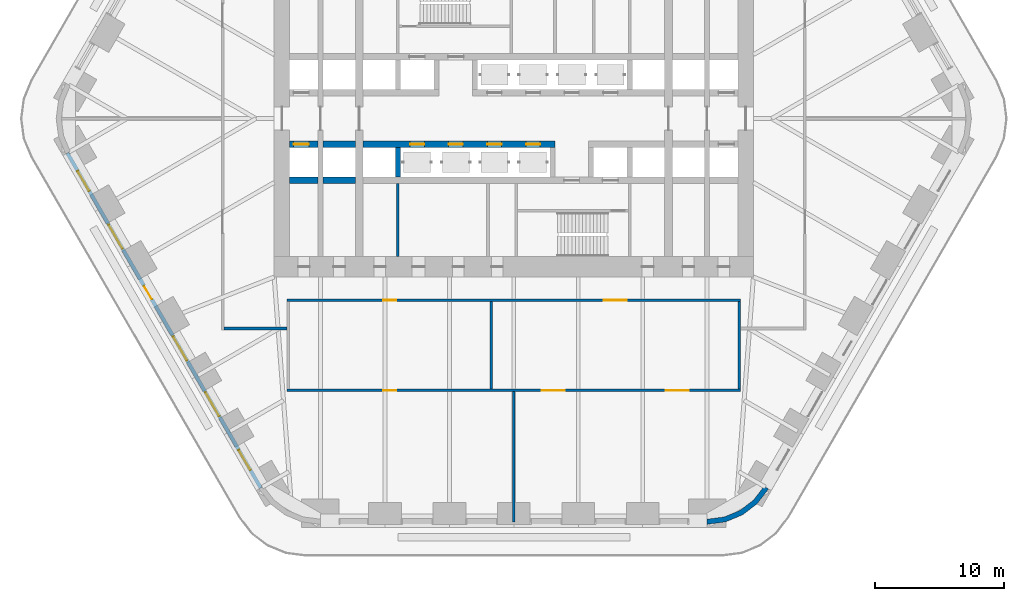
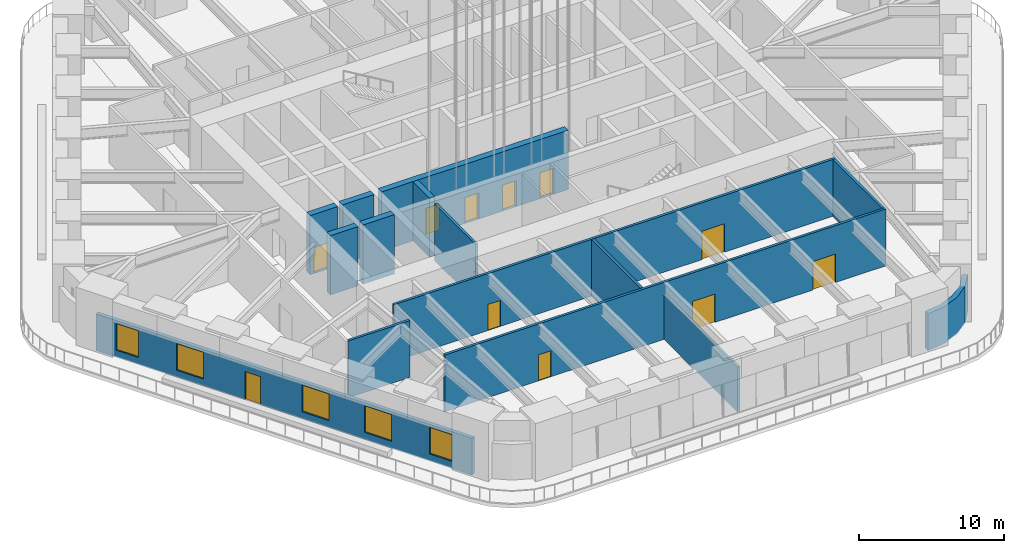
# One storey, part 7 of 15: 15 walls, 11 doors, 5 windows, 16 openings.
"""IFC4 building model written with IfcOpenShell, lengths in metres."""

from ifc_helpers import new_model, si_unit, direction, frame, frame_2d, origin, place, context, subcontext, project, spatial, polyline, rectangle, outline, extrude, material, layer, layer_set, type_object, element, fill, save


model = new_model("IFC4")

# Units and contexts
model_context = context("Model", 3, precision=1e-05, world=origin(), true_north=direction((0.0, 1.0)))
body_context = subcontext(model_context, "Body", "Model", "MODEL_VIEW")
ifc_project = project(units=[si_unit("LENGTHUNIT", "METRE"), si_unit("AREAUNIT", "SQUARE_METRE"), si_unit("VOLUMEUNIT", "CUBIC_METRE"), si_unit("PLANEANGLEUNIT", "RADIAN"), si_unit("MASSUNIT", "GRAM", prefix="KILO")], contexts=[model_context])

# Site, building, storey
site_placement = place(None, origin())
site = spatial("IfcSite", under=ifc_project, at=site_placement, CompositionType="ELEMENT")
building_placement = place(site_placement, origin())
building = spatial("IfcBuilding", under=site, at=building_placement, Name="Tarfa Lantern Tower", CompositionType="ELEMENT")
storey_placement = place(building_placement, frame((0.0, 0.0, 114.5)))
storey = spatial("IfcBuildingStorey", under=building, at=storey_placement, Name="L25", CompositionType="ELEMENT", Elevation=114.5)

# Wall, openings, door, windows
ifc_material_1 = material(Name="Limestone cladding on blockwork", Category="masonry")
ifc_layer_1 = layer(ifc_material_1, 0.300048828125)
ifc_layer_set_1 = layer_set([ifc_layer_1], Name="EW1 STONE-CLAD WALL 300")
wall_type_1 = type_object("IfcWallType", Name="EW1 STONE-CLAD WALL 300", PredefinedType="SOLIDWALL", material=ifc_layer_set_1)
wall_1_placement = place(storey_placement, frame((-34.655517578125, -2.675048828125, 0.0), z_axis=(0.0, 0.0, 1.0), x_axis=(0.500003084452, -0.866023622968, 0.0)))
wall_1 = element("IfcWall", 1, at=wall_1_placement, inside=storey, type_object=wall_type_1, Name="Stone wall SW", PredefinedType="SOLIDWALL", context=body_context, shape_type="SweptSolid", body=[
    extrude(rectangle(XDim=30.022216796875, YDim=0.300048828125, at=frame_2d((15.01123046875, 0.0))), origin(), (0.0, 0.0, 1.0), 3.10009765625),
])
opening_1_placement = place(wall_1_placement, frame((1.601806640625, 0.0, 0.60009765625)))
opening_1 = element("IfcOpeningElement", 2, at=opening_1_placement, cuts=wall_1, Name="Opening W4", PredefinedType="OPENING", context=body_context, shape_type="SweptSolid", body=[
    extrude(rectangle(XDim=1.800048828125, YDim=2.25, at=frame_2d((0.89990234375, 1.125))), frame((0.0, 0.159912109375, 0.0), z_axis=(0.0, -1.0, 0.0), x_axis=(1.0, 0.0, 0.0)), (0.0, 0.0, 1.0), 0.320068359375),
])
opening_2_placement = place(wall_1_placement, frame((6.4306640625, 0.0, 0.60009765625)))
opening_2 = element("IfcOpeningElement", 3, at=opening_2_placement, cuts=wall_1, Name="Opening W5", PredefinedType="OPENING", context=body_context, shape_type="SweptSolid", body=[
    extrude(rectangle(XDim=2.14990234375, YDim=2.25, at=frame_2d((1.074951171875, 1.125))), frame((0.0, 0.159912109375, 0.0), z_axis=(0.0, -1.0, 0.0), x_axis=(1.0, 0.0, 0.0)), (0.0, 0.0, 1.0), 0.320068359375),
])
opening_3_placement = place(wall_1_placement, frame((11.9091796875, 0.0, 0.0)))
opening_3 = element("IfcOpeningElement", 4, at=opening_3_placement, cuts=wall_1, Name="Opening D45", PredefinedType="OPENING", context=body_context, shape_type="SweptSolid", body=[
    extrude(rectangle(XDim=1.199951171875, YDim=2.39990234375, at=frame_2d((0.60009765625, 1.199951171875))), frame((0.0, 0.159912109375, 0.0), z_axis=(0.0, -1.0, 0.0), x_axis=(1.0, 0.0, 0.0)), (0.0, 0.0, 1.0), 0.320068359375),
])
opening_4_placement = place(wall_1_placement, frame((16.43798828125, 0.0, 0.60009765625)))
opening_4 = element("IfcOpeningElement", 5, at=opening_4_placement, cuts=wall_1, Name="Opening W5", PredefinedType="OPENING", context=body_context, shape_type="SweptSolid", body=[
    extrude(rectangle(XDim=2.14990234375, YDim=2.25, at=frame_2d((1.074951171875, 1.125))), frame((0.0, 0.159912109375, 0.0), z_axis=(0.0, -1.0, 0.0), x_axis=(1.0, 0.0, 0.0)), (0.0, 0.0, 1.0), 0.320068359375),
])
opening_5_placement = place(wall_1_placement, frame((21.441650390625, 0.0, 0.60009765625)))
opening_5 = element("IfcOpeningElement", 6, at=opening_5_placement, cuts=wall_1, Name="Opening W5", PredefinedType="OPENING", context=body_context, shape_type="SweptSolid", body=[
    extrude(rectangle(XDim=2.14990234375, YDim=2.25, at=frame_2d((1.074951171875, 1.125))), frame((0.0, 0.159912109375, 0.0), z_axis=(0.0, -1.0, 0.0), x_axis=(1.0, 0.0, 0.0)), (0.0, 0.0, 1.0), 0.320068359375),
])
opening_6_placement = place(wall_1_placement, frame((26.620361328125, 0.0, 0.60009765625)))
opening_6 = element("IfcOpeningElement", 7, at=opening_6_placement, cuts=wall_1, Name="Opening W4", PredefinedType="OPENING", context=body_context, shape_type="SweptSolid", body=[
    extrude(rectangle(XDim=1.800048828125, YDim=2.25, at=frame_2d((0.89990234375, 1.125))), frame((0.0, 0.159912109375, 0.0), z_axis=(0.0, -1.0, 0.0), x_axis=(1.0, 0.0, 0.0)), (0.0, 0.0, 1.0), 0.320068359375),
])
ifc_material_2 = material(Name="Aluminium framed glazed door", Category="aluminium")
door_type_1 = type_object("IfcDoorType", Name="BE3 BALCONY DOOR 1200x2400", OperationType="SINGLE_SWING_RIGHT", PredefinedType="DOOR", material=ifc_material_2)
door_1_placement = place(opening_3_placement, origin())
door_1 = element("IfcDoor", 8, at=door_1_placement, inside=storey, type_object=door_type_1, Name="Balcony door SW", OperationType="SINGLE_SWING_RIGHT", OverallHeight=2.39990234375, OverallWidth=1.199951171875, PredefinedType="DOOR", context=body_context, shape_type="SweptSolid", body=[
    extrude(rectangle(XDim=1.199951171875, YDim=2.39990234375, at=frame_2d((0.60009765625, 1.199951171875))), frame((0.0, 0.02490234375, 0.0), z_axis=(0.0, -1.0, 0.0), x_axis=(1.0, 0.0, 0.0)), (0.0, 0.0, 1.0), 0.050048828125),
])
fill(opening_3, door_1)
ifc_material_3 = material(Name="Aluminium frame, double glazed", Category="aluminium")
window_type_1 = type_object("IfcWindowType", Name="W4 FULL-HEIGHT GLAZING 1800x2250", PartitioningType="SINGLE_PANEL", PredefinedType="WINDOW", material=ifc_material_3)
window_1_placement = place(opening_1_placement, origin())
window_1 = element("IfcWindow", 9, at=window_1_placement, inside=storey, type_object=window_type_1, Name="Window SW 1", OverallHeight=2.25, OverallWidth=1.800048828125, PartitioningType="SINGLE_PANEL", PredefinedType="WINDOW", context=body_context, shape_type="SweptSolid", body=[
    extrude(rectangle(XDim=1.800048828125, YDim=2.25, at=frame_2d((0.89990234375, 1.125))), frame((0.0, 0.030029296875, 0.0), z_axis=(0.0, -1.0, 0.0), x_axis=(1.0, 0.0, 0.0)), (0.0, 0.0, 1.0), 0.06005859375),
])
fill(opening_1, window_1)
window_2_placement = place(opening_6_placement, origin())
window_2 = element("IfcWindow", 10, at=window_2_placement, inside=storey, type_object=window_type_1, Name="Window SW 6", OverallHeight=2.25, OverallWidth=1.800048828125, PartitioningType="SINGLE_PANEL", PredefinedType="WINDOW", context=body_context, shape_type="SweptSolid", body=[
    extrude(rectangle(XDim=1.800048828125, YDim=2.25, at=frame_2d((0.89990234375, 1.125))), frame((0.0, 0.030029296875, 0.0), z_axis=(0.0, -1.0, 0.0), x_axis=(1.0, 0.0, 0.0)), (0.0, 0.0, 1.0), 0.06005859375),
])
fill(opening_6, window_2)
window_type_2 = type_object("IfcWindowType", Name="W5 FULL-HEIGHT GLAZING 2150x2250", PartitioningType="SINGLE_PANEL", PredefinedType="WINDOW", material=ifc_material_3)
window_3_placement = place(opening_2_placement, origin())
window_3 = element("IfcWindow", 11, at=window_3_placement, inside=storey, type_object=window_type_2, Name="Window SW 2", OverallHeight=2.25, OverallWidth=2.14990234375, PartitioningType="SINGLE_PANEL", PredefinedType="WINDOW", context=body_context, shape_type="SweptSolid", body=[
    extrude(rectangle(XDim=2.14990234375, YDim=2.25, at=frame_2d((1.074951171875, 1.125))), frame((0.0, 0.030029296875, 0.0), z_axis=(0.0, -1.0, 0.0), x_axis=(1.0, 0.0, 0.0)), (0.0, 0.0, 1.0), 0.06005859375),
])
fill(opening_2, window_3)
window_4_placement = place(opening_4_placement, origin())
window_4 = element("IfcWindow", 12, at=window_4_placement, inside=storey, type_object=window_type_2, Name="Window SW 4", OverallHeight=2.25, OverallWidth=2.14990234375, PartitioningType="SINGLE_PANEL", PredefinedType="WINDOW", context=body_context, shape_type="SweptSolid", body=[
    extrude(rectangle(XDim=2.14990234375, YDim=2.25, at=frame_2d((1.074951171875, 1.125))), frame((0.0, 0.030029296875, 0.0), z_axis=(0.0, -1.0, 0.0), x_axis=(1.0, 0.0, 0.0)), (0.0, 0.0, 1.0), 0.06005859375),
])
fill(opening_4, window_4)
window_5_placement = place(opening_5_placement, origin())
window_5 = element("IfcWindow", 13, at=window_5_placement, inside=storey, type_object=window_type_2, Name="Window SW 5", OverallHeight=2.25, OverallWidth=2.14990234375, PartitioningType="SINGLE_PANEL", PredefinedType="WINDOW", context=body_context, shape_type="SweptSolid", body=[
    extrude(rectangle(XDim=2.14990234375, YDim=2.25, at=frame_2d((1.074951171875, 1.125))), frame((0.0, 0.030029296875, 0.0), z_axis=(0.0, -1.0, 0.0), x_axis=(1.0, 0.0, 0.0)), (0.0, 0.0, 1.0), 0.06005859375),
])
fill(opening_5, window_5)

# Walls
ifc_layer_2 = layer(ifc_material_1, 0.39990234375)
ifc_layer_set_2 = layer_set([ifc_layer_2], Name="EW2 CURVED STONE CORNER 400")
wall_type_2 = type_object("IfcWallType", Name="EW2 CURVED STONE CORNER 400", PredefinedType="SOLIDWALL", material=ifc_layer_set_2)
wall_2_placement = place(storey_placement, origin())
element("IfcWall", 14, at=wall_2_placement, inside=storey, type_object=wall_type_2, Name="Stone corner S-SE", PredefinedType="SOLIDWALL", context=body_context, shape_type="SweptSolid", body=[
    extrude(outline(polyline([(15.010986328125, -31.5), (16.4345703125, -31.3125), (17.760986328125, -30.76318359375), (18.900146484375, -29.88916015625), (19.774169921875, -28.75), (19.427734375, -28.550048828125), (18.617431640625, -29.606201171875), (17.56103515625, -30.416748046875), (16.3310546875, -30.92626953125), (15.010986328125, -31.10009765625), (15.010986328125, -31.5)])), origin(), (0.0, 0.0, 1.0), 3.10009765625),
])
ifc_material_4 = material(Name="Concrete blockwork", Category="masonry")
ifc_layer_3 = layer(ifc_material_4, 0.199951171875)
ifc_layer_set_3 = layer_set([ifc_layer_3], Name="IW1 BLOCKWORK PARTITION 200 EI 120")
wall_type_3 = type_object("IfcWallType", Name="IW1 BLOCKWORK PARTITION 200 EI 120", PredefinedType="PARTITIONING", material=ifc_layer_set_3)
wall_3_placement = place(storey_placement, frame((-9.0, -5.050048828125, 0.0), z_axis=(0.0, 0.0, 1.0), x_axis=(0.0, -1.0, 0.0)))
element("IfcWall", 15, at=wall_3_placement, inside=storey, type_object=wall_type_3, Name="Core partition", PredefinedType="PARTITIONING", context=body_context, shape_type="SweptSolid", body=[
    extrude(rectangle(XDim=5.64990234375, YDim=0.199951171875, at=frame_2d((2.824951171875, 0.0))), origin(), (0.0, 0.0, 1.0), 4.800048828125),
])

# Wall, openings, doors
ifc_material_5 = material(Name="Gypsum board on steel studs", Category="steel")
ifc_layer_4 = layer(ifc_material_5, 0.2099609375)
ifc_layer_set_4 = layer_set([ifc_layer_4], Name="IW2 ACOUSTIC PARTITION 200")
wall_type_4 = type_object("IfcWallType", Name="IW2 ACOUSTIC PARTITION 200", PredefinedType="PARTITIONING", material=ifc_layer_set_4)
wall_4_placement = place(storey_placement, frame((17.60009765625, -14.10009765625, 0.0), z_axis=(0.0, 0.0, 1.0), x_axis=(-1.0, 0.0, 0.0)))
wall_4 = element("IfcWall", 16, at=wall_4_placement, inside=storey, type_object=wall_type_4, Name="Partition", PredefinedType="PARTITIONING", context=body_context, shape_type="SweptSolid", body=[
    extrude(rectangle(XDim=35.2001953125, YDim=0.199951171875, at=frame_2d((17.60009765625, 0.0))), origin(), (0.0, 0.0, 1.0), 4.800048828125),
])
opening_7_placement = place(wall_4_placement, frame((8.824951171875, 0.0, 0.0)))
opening_7 = element("IfcOpeningElement", 17, at=opening_7_placement, cuts=wall_4, Name="Opening D37", PredefinedType="OPENING", context=body_context, shape_type="SweptSolid", body=[
    extrude(rectangle(XDim=1.800048828125, YDim=2.39990234375, at=frame_2d((0.89990234375, 1.199951171875))), frame((0.0, 0.10986328125, 0.0), z_axis=(0.0, -1.0, 0.0), x_axis=(1.0, 0.0, 0.0)), (0.0, 0.0, 1.0), 0.219970703125),
])
opening_8_placement = place(wall_4_placement, frame((26.72509765625, 0.0, 0.0)))
opening_8 = element("IfcOpeningElement", 18, at=opening_8_placement, cuts=wall_4, Name="Opening D38", PredefinedType="OPENING", context=body_context, shape_type="SweptSolid", body=[
    extrude(rectangle(XDim=1.0, YDim=2.199951171875, at=frame_2d((0.5, 1.10009765625))), frame((0.0, 0.10986328125, 0.0), z_axis=(0.0, -1.0, 0.0), x_axis=(1.0, 0.0, 0.0)), (0.0, 0.0, 1.0), 0.219970703125),
])
ifc_material_6 = material(Name="Timber door", Category="wood")
door_type_2 = type_object("IfcDoorType", Name="DR1 ROOM DOOR 1000x2200", OperationType="SINGLE_SWING_LEFT", PredefinedType="DOOR", material=ifc_material_6)
door_2_placement = place(opening_8_placement, origin())
door_2 = element("IfcDoor", 19, at=door_2_placement, inside=storey, type_object=door_type_2, Name="Quiet room door", OperationType="SINGLE_SWING_LEFT", OverallHeight=2.199951171875, OverallWidth=1.0, PredefinedType="DOOR", context=body_context, shape_type="SweptSolid", body=[
    extrude(rectangle(XDim=1.0, YDim=2.199951171875, at=frame_2d((0.5, 1.10009765625))), frame((0.0, 0.02490234375, 0.0), z_axis=(0.0, -1.0, 0.0), x_axis=(1.0, 0.0, 0.0)), (0.0, 0.0, 1.0), 0.050048828125),
])
fill(opening_8, door_2)
door_type_3 = type_object("IfcDoorType", Name="DR2 ROOM DOOR 1800x2400", OperationType="DOUBLE_DOOR_SINGLE_SWING", PredefinedType="DOOR", material=ifc_material_6)
door_3_placement = place(opening_7_placement, origin())
door_3 = element("IfcDoor", 20, at=door_3_placement, inside=storey, type_object=door_type_3, Name="Staff cafe door", OperationType="DOUBLE_DOOR_SINGLE_SWING", OverallHeight=2.39990234375, OverallWidth=1.800048828125, PredefinedType="DOOR", context=body_context, shape_type="SweptSolid", body=[
    extrude(rectangle(XDim=1.800048828125, YDim=2.39990234375, at=frame_2d((0.89990234375, 1.199951171875))), frame((0.0, 0.02490234375, 0.0), z_axis=(0.0, -1.0, 0.0), x_axis=(1.0, 0.0, 0.0)), (0.0, 0.0, 1.0), 0.050048828125),
])
fill(opening_7, door_3)

# Walls
for number, where, z_axis, x_axis, name in (
    (21, (17.5, -14.199951171875, 0.0), (0.0, 0.0, 1.0), (0.0, -1.0, 0.0), "Partition"),
    (22, (-1.75, -14.199951171875, 0.0), (0.0, 0.0, 1.0), (0.0, -1.0, 0.0), "Partition"),
):
    element("IfcWall", number, at=place(storey_placement, frame(where, z_axis=z_axis, x_axis=x_axis)), inside=storey, type_object=wall_type_4, Name=name, PredefinedType="PARTITIONING", context=body_context, shape_type="SweptSolid", body=[
        extrude(rectangle(XDim=6.800048828125, YDim=0.199951171875, at=frame_2d((3.39990234375, 0.0))), origin(), (0.0, 0.0, 1.0), 4.800048828125),
    ])

# Wall, openings, doors
wall_5_placement = place(storey_placement, frame((17.60009765625, -21.10009765625, 0.0), z_axis=(0.0, 0.0, 1.0), x_axis=(-1.0, 0.0, 0.0)))
wall_5 = element("IfcWall", 23, at=wall_5_placement, inside=storey, type_object=wall_type_4, Name="Partition", PredefinedType="PARTITIONING", context=body_context, shape_type="SweptSolid", body=[
    extrude(rectangle(XDim=35.2001953125, YDim=0.199951171875, at=frame_2d((17.60009765625, 0.0))), origin(), (0.0, 0.0, 1.0), 4.800048828125),
])
opening_9_placement = place(wall_5_placement, frame((4.012451171875, 0.0, 0.0)))
opening_9 = element("IfcOpeningElement", 24, at=opening_9_placement, cuts=wall_5, Name="Opening D32", PredefinedType="OPENING", context=body_context, shape_type="SweptSolid", body=[
    extrude(rectangle(XDim=1.800048828125, YDim=2.39990234375, at=frame_2d((0.89990234375, 1.199951171875))), frame((0.0, 0.10986328125, 0.0), z_axis=(0.0, -1.0, 0.0), x_axis=(1.0, 0.0, 0.0)), (0.0, 0.0, 1.0), 0.219970703125),
])
opening_10_placement = place(wall_5_placement, frame((13.637451171875, 0.0, 0.0)))
opening_10 = element("IfcOpeningElement", 25, at=opening_10_placement, cuts=wall_5, Name="Opening D33", PredefinedType="OPENING", context=body_context, shape_type="SweptSolid", body=[
    extrude(rectangle(XDim=1.800048828125, YDim=2.39990234375, at=frame_2d((0.89990234375, 1.199951171875))), frame((0.0, 0.10986328125, 0.0), z_axis=(0.0, -1.0, 0.0), x_axis=(1.0, 0.0, 0.0)), (0.0, 0.0, 1.0), 0.219970703125),
])
opening_11_placement = place(wall_5_placement, frame((26.72509765625, 0.0, 0.0)))
opening_11 = element("IfcOpeningElement", 26, at=opening_11_placement, cuts=wall_5, Name="Opening D34", PredefinedType="OPENING", context=body_context, shape_type="SweptSolid", body=[
    extrude(rectangle(XDim=1.0, YDim=2.199951171875, at=frame_2d((0.5, 1.10009765625))), frame((0.0, 0.10986328125, 0.0), z_axis=(0.0, -1.0, 0.0), x_axis=(1.0, 0.0, 0.0)), (0.0, 0.0, 1.0), 0.219970703125),
])
door_4_placement = place(opening_11_placement, frame((1.0, 0.0, 0.0), z_axis=(0.0, 0.0, 1.0), x_axis=(-1.0, 0.0, 0.0)))
door_4 = element("IfcDoor", 27, at=door_4_placement, inside=storey, type_object=door_type_2, Name="Quiet room door", OperationType="SINGLE_SWING_RIGHT", OverallHeight=2.199951171875, OverallWidth=1.0, PredefinedType="DOOR", context=body_context, shape_type="SweptSolid", body=[
    extrude(rectangle(XDim=1.0, YDim=2.199951171875, at=frame_2d((0.5, 1.10009765625))), frame((0.0, 0.02490234375, 0.0), z_axis=(0.0, -1.0, 0.0), x_axis=(1.0, 0.0, 0.0)), (0.0, 0.0, 1.0), 0.050048828125),
])
fill(opening_11, door_4)
door_5_placement = place(opening_9_placement, frame((1.800048828125, 0.0, 0.0), z_axis=(0.0, 0.0, 1.0), x_axis=(-1.0, 0.0, 0.0)))
door_5 = element("IfcDoor", 28, at=door_5_placement, inside=storey, type_object=door_type_3, Name="Staff cafe door", OperationType="DOUBLE_DOOR_SINGLE_SWING", OverallHeight=2.39990234375, OverallWidth=1.800048828125, PredefinedType="DOOR", context=body_context, shape_type="SweptSolid", body=[
    extrude(rectangle(XDim=1.800048828125, YDim=2.39990234375, at=frame_2d((0.89990234375, 1.199951171875))), frame((0.0, 0.02490234375, 0.0), z_axis=(0.0, -1.0, 0.0), x_axis=(1.0, 0.0, 0.0)), (0.0, 0.0, 1.0), 0.050048828125),
])
fill(opening_9, door_5)
door_6_placement = place(opening_10_placement, frame((1.800048828125, 0.0, 0.0), z_axis=(0.0, 0.0, 1.0), x_axis=(-1.0, 0.0, 0.0)))
door_6 = element("IfcDoor", 29, at=door_6_placement, inside=storey, type_object=door_type_3, Name="Staff cafe door", OperationType="DOUBLE_DOOR_SINGLE_SWING", OverallHeight=2.39990234375, OverallWidth=1.800048828125, PredefinedType="DOOR", context=body_context, shape_type="SweptSolid", body=[
    extrude(rectangle(XDim=1.800048828125, YDim=2.39990234375, at=frame_2d((0.89990234375, 1.199951171875))), frame((0.0, 0.02490234375, 0.0), z_axis=(0.0, -1.0, 0.0), x_axis=(1.0, 0.0, 0.0)), (0.0, 0.0, 1.0), 0.050048828125),
])
fill(opening_10, door_6)

# Walls
wall_6_placement = place(storey_placement, frame((-17.60009765625, -16.300048828125, 0.0), z_axis=(0.0, 0.0, 1.0), x_axis=(-1.0, 0.0, 0.0)))
element("IfcWall", 30, at=wall_6_placement, inside=storey, type_object=wall_type_4, Name="Partition", PredefinedType="PARTITIONING", context=body_context, shape_type="SweptSolid", body=[
    extrude(rectangle(XDim=4.89990234375, YDim=0.199951171875, at=frame_2d((2.449951171875, 0.0))), origin(), (0.0, 0.0, 1.0), 4.800048828125),
])
wall_7_placement = place(storey_placement, frame((0.0, -21.199951171875, 0.0), z_axis=(0.0, 0.0, 1.0), x_axis=(0.0, -1.0, 0.0)))
element("IfcWall", 31, at=wall_7_placement, inside=storey, type_object=wall_type_4, Name="Partition", PredefinedType="PARTITIONING", context=body_context, shape_type="SweptSolid", body=[
    extrude(rectangle(XDim=10.110107421875, YDim=0.199951171875, at=frame_2d((5.05517578125, 0.0))), origin(), (0.0, 0.0, 1.0), 3.7919921875),
])

# Wall, openings, doors
ifc_material_7 = material(Name="Concrete C80/95", Category="concrete")
ifc_layer_5 = layer(ifc_material_7, 0.5)
ifc_layer_set_5 = layer_set([ifc_layer_5], Name="SW5 CORE WALL 500")
wall_type_5 = type_object("IfcWallType", Name="SW5 CORE WALL 500", PredefinedType="SHEAR", material=ifc_layer_set_5)
wall_8_placement = place(storey_placement, frame((3.199951171875, -2.0, 0.0), z_axis=(0.0, 0.0, 1.0), x_axis=(-1.0, 0.0, 0.0)))
wall_8 = element("IfcWall", 32, at=wall_8_placement, inside=storey, type_object=wall_type_5, Name="Core wall lobby east S", PredefinedType="SHEAR", context=body_context, shape_type="SweptSolid", body=[
    extrude(rectangle(XDim=14.89990234375, YDim=0.5, at=frame_2d((7.449951171875, 0.0))), origin(), (0.0, 0.0, 1.0), 5.0),
])
opening_12_placement = place(wall_8_placement, frame((1.14990234375, 0.0, 0.0)))
opening_12 = element("IfcOpeningElement", 33, at=opening_12_placement, cuts=wall_8, Name="Opening LD07", PredefinedType="OPENING", context=body_context, shape_type="SweptSolid", body=[
    extrude(rectangle(XDim=1.10009765625, YDim=2.199951171875, at=frame_2d((0.550048828125, 1.10009765625))), frame((0.0, 0.260009765625, 0.0), z_axis=(0.0, -1.0, 0.0), x_axis=(1.0, 0.0, 0.0)), (0.0, 0.0, 1.0), 0.52001953125),
])
opening_13_placement = place(wall_8_placement, frame((4.14990234375, 0.0, 0.0)))
opening_13 = element("IfcOpeningElement", 34, at=opening_13_placement, cuts=wall_8, Name="Opening LD08", PredefinedType="OPENING", context=body_context, shape_type="SweptSolid", body=[
    extrude(rectangle(XDim=1.10009765625, YDim=2.199951171875, at=frame_2d((0.550048828125, 1.10009765625))), frame((0.0, 0.260009765625, 0.0), z_axis=(0.0, -1.0, 0.0), x_axis=(1.0, 0.0, 0.0)), (0.0, 0.0, 1.0), 0.52001953125),
])
opening_14_placement = place(wall_8_placement, frame((7.14990234375, 0.0, 0.0)))
opening_14 = element("IfcOpeningElement", 35, at=opening_14_placement, cuts=wall_8, Name="Opening LD09", PredefinedType="OPENING", context=body_context, shape_type="SweptSolid", body=[
    extrude(rectangle(XDim=1.10009765625, YDim=2.199951171875, at=frame_2d((0.550048828125, 1.10009765625))), frame((0.0, 0.260009765625, 0.0), z_axis=(0.0, -1.0, 0.0), x_axis=(1.0, 0.0, 0.0)), (0.0, 0.0, 1.0), 0.52001953125),
])
opening_15_placement = place(wall_8_placement, frame((10.14990234375, 0.0, 0.0)))
opening_15 = element("IfcOpeningElement", 36, at=opening_15_placement, cuts=wall_8, Name="Opening LD10", PredefinedType="OPENING", context=body_context, shape_type="SweptSolid", body=[
    extrude(rectangle(XDim=1.10009765625, YDim=2.199951171875, at=frame_2d((0.550048828125, 1.10009765625))), frame((0.0, 0.260009765625, 0.0), z_axis=(0.0, -1.0, 0.0), x_axis=(1.0, 0.0, 0.0)), (0.0, 0.0, 1.0), 0.52001953125),
])
ifc_material_8 = material(Name="Stainless steel lift door", Category="steel")
door_type_4 = type_object("IfcDoorType", Name="LD2 LIFT LANDING DOOR 1100x2200", OperationType="SLIDING_TO_LEFT", PredefinedType="DOOR", material=ifc_material_8)
door_7_placement = place(opening_12_placement, frame((1.10009765625, 0.0, 0.0), z_axis=(0.0, 0.0, 1.0), x_axis=(-1.0, 0.0, 0.0)))
door_7 = element("IfcDoor", 37, at=door_7_placement, inside=storey, type_object=door_type_4, Name="Landing door PB5", OperationType="SLIDING_TO_LEFT", OverallHeight=2.199951171875, OverallWidth=1.10009765625, PredefinedType="DOOR", context=body_context, shape_type="SweptSolid", body=[
    extrude(rectangle(XDim=1.10009765625, YDim=2.199951171875, at=frame_2d((0.550048828125, 1.10009765625))), frame((0.0, 0.02490234375, 0.0), z_axis=(0.0, -1.0, 0.0), x_axis=(1.0, 0.0, 0.0)), (0.0, 0.0, 1.0), 0.050048828125),
])
fill(opening_12, door_7)
door_8_placement = place(opening_13_placement, frame((1.10009765625, 0.0, 0.0), z_axis=(0.0, 0.0, 1.0), x_axis=(-1.0, 0.0, 0.0)))
door_8 = element("IfcDoor", 38, at=door_8_placement, inside=storey, type_object=door_type_4, Name="Landing door PB6", OperationType="SLIDING_TO_LEFT", OverallHeight=2.199951171875, OverallWidth=1.10009765625, PredefinedType="DOOR", context=body_context, shape_type="SweptSolid", body=[
    extrude(rectangle(XDim=1.10009765625, YDim=2.199951171875, at=frame_2d((0.550048828125, 1.10009765625))), frame((0.0, 0.02490234375, 0.0), z_axis=(0.0, -1.0, 0.0), x_axis=(1.0, 0.0, 0.0)), (0.0, 0.0, 1.0), 0.050048828125),
])
fill(opening_13, door_8)
door_9_placement = place(opening_14_placement, frame((1.10009765625, 0.0, 0.0), z_axis=(0.0, 0.0, 1.0), x_axis=(-1.0, 0.0, 0.0)))
door_9 = element("IfcDoor", 39, at=door_9_placement, inside=storey, type_object=door_type_4, Name="Landing door PB7", OperationType="SLIDING_TO_LEFT", OverallHeight=2.199951171875, OverallWidth=1.10009765625, PredefinedType="DOOR", context=body_context, shape_type="SweptSolid", body=[
    extrude(rectangle(XDim=1.10009765625, YDim=2.199951171875, at=frame_2d((0.550048828125, 1.10009765625))), frame((0.0, 0.02490234375, 0.0), z_axis=(0.0, -1.0, 0.0), x_axis=(1.0, 0.0, 0.0)), (0.0, 0.0, 1.0), 0.050048828125),
])
fill(opening_14, door_9)
door_10_placement = place(opening_15_placement, frame((1.10009765625, 0.0, 0.0), z_axis=(0.0, 0.0, 1.0), x_axis=(-1.0, 0.0, 0.0)))
door_10 = element("IfcDoor", 40, at=door_10_placement, inside=storey, type_object=door_type_4, Name="Landing door PB8", OperationType="SLIDING_TO_LEFT", OverallHeight=2.199951171875, OverallWidth=1.10009765625, PredefinedType="DOOR", context=body_context, shape_type="SweptSolid", body=[
    extrude(rectangle(XDim=1.10009765625, YDim=2.199951171875, at=frame_2d((0.550048828125, 1.10009765625))), frame((0.0, 0.02490234375, 0.0), z_axis=(0.0, -1.0, 0.0), x_axis=(1.0, 0.0, 0.0)), (0.0, 0.0, 1.0), 0.050048828125),
])
fill(opening_15, door_10)

# Wall
wall_9_placement = place(storey_placement, frame((-12.300048828125, -2.0, 0.0), z_axis=(0.0, 0.0, 1.0), x_axis=(-1.0, 0.0, 0.0)))
element("IfcWall", 41, at=wall_9_placement, inside=storey, type_object=wall_type_5, Name="Core wall lobby east S", PredefinedType="SHEAR", context=body_context, shape_type="SweptSolid", body=[
    extrude(rectangle(XDim=2.5, YDim=0.5, at=frame_2d((1.25, 0.0))), origin(), (0.0, 0.0, 1.0), 5.0),
])

# Wall, opening, door
wall_10_placement = place(storey_placement, frame((-15.199951171875, -2.0, 0.0), z_axis=(0.0, 0.0, 1.0), x_axis=(-1.0, 0.0, 0.0)))
wall_10 = element("IfcWall", 42, at=wall_10_placement, inside=storey, type_object=wall_type_5, Name="Core wall lobby east S", PredefinedType="SHEAR", context=body_context, shape_type="SweptSolid", body=[
    extrude(rectangle(XDim=2.199951171875, YDim=0.5, at=frame_2d((1.10009765625, 0.0))), origin(), (0.0, 0.0, 1.0), 5.0),
])
opening_16_placement = place(wall_10_placement, frame((0.699951171875, 0.0, 0.0)))
opening_16 = element("IfcOpeningElement", 43, at=opening_16_placement, cuts=wall_10, Name="Opening LD14", PredefinedType="OPENING", context=body_context, shape_type="SweptSolid", body=[
    extrude(rectangle(XDim=1.199951171875, YDim=2.199951171875, at=frame_2d((0.60009765625, 1.10009765625))), frame((0.0, 0.260009765625, 0.0), z_axis=(0.0, -1.0, 0.0), x_axis=(1.0, 0.0, 0.0)), (0.0, 0.0, 1.0), 0.52001953125),
])
door_type_5 = type_object("IfcDoorType", Name="LD1 LIFT LANDING DOOR 1200x2200", OperationType="SLIDING_TO_LEFT", PredefinedType="DOOR", material=ifc_material_8)
door_11_placement = place(opening_16_placement, frame((1.199951171875, 0.0, 0.0), z_axis=(0.0, 0.0, 1.0), x_axis=(-1.0, 0.0, 0.0)))
door_11 = element("IfcDoor", 44, at=door_11_placement, inside=storey, type_object=door_type_5, Name="Landing door S4", OperationType="SLIDING_TO_LEFT", OverallHeight=2.199951171875, OverallWidth=1.199951171875, PredefinedType="DOOR", context=body_context, shape_type="SweptSolid", body=[
    extrude(rectangle(XDim=1.199951171875, YDim=2.199951171875, at=frame_2d((0.60009765625, 1.10009765625))), frame((0.0, 0.02490234375, 0.0), z_axis=(0.0, -1.0, 0.0), x_axis=(1.0, 0.0, 0.0)), (0.0, 0.0, 1.0), 0.050048828125),
])
fill(opening_16, door_11)

# Walls
wall_11_placement = place(storey_placement, frame((-12.300048828125, -4.800048828125, 0.0), z_axis=(0.0, 0.0, 1.0), x_axis=(-1.0, 0.0, 0.0)))
element("IfcWall", 45, at=wall_11_placement, inside=storey, type_object=wall_type_5, Name="Core wall rear S", PredefinedType="SHEAR", context=body_context, shape_type="SweptSolid", body=[
    extrude(rectangle(XDim=2.5, YDim=0.5, at=frame_2d((1.25, 0.0))), origin(), (0.0, 0.0, 1.0), 5.0),
])
wall_12_placement = place(storey_placement, frame((-15.199951171875, -4.800048828125, 0.0), z_axis=(0.0, 0.0, 1.0), x_axis=(-1.0, 0.0, 0.0)))
element("IfcWall", 46, at=wall_12_placement, inside=storey, type_object=wall_type_5, Name="Core wall rear S", PredefinedType="SHEAR", context=body_context, shape_type="SweptSolid", body=[
    extrude(rectangle(XDim=2.199951171875, YDim=0.5, at=frame_2d((1.10009765625, 0.0))), origin(), (0.0, 0.0, 1.0), 5.0),
])
ifc_layer_6 = layer(ifc_material_7, 0.39990234375)
ifc_layer_set_6 = layer_set([ifc_layer_6], Name="SW6 CORE WALL 400")
wall_type_6 = type_object("IfcWallType", Name="SW6 CORE WALL 400", PredefinedType="SHEAR", material=ifc_layer_set_6)
wall_13_placement = place(storey_placement, frame((-9.0, -2.25, 0.0), z_axis=(0.0, 0.0, 1.0), x_axis=(0.0, -1.0, 0.0)))
element("IfcWall", 47, at=wall_13_placement, inside=storey, type_object=wall_type_6, Name="Core wall divider S", PredefinedType="SHEAR", context=body_context, shape_type="SweptSolid", body=[
    extrude(rectangle(XDim=2.300048828125, YDim=0.39990234375, at=frame_2d((1.14990234375, 0.0))), origin(), (0.0, 0.0, 1.0), 5.0),
])

save(model, "model.ifc")
